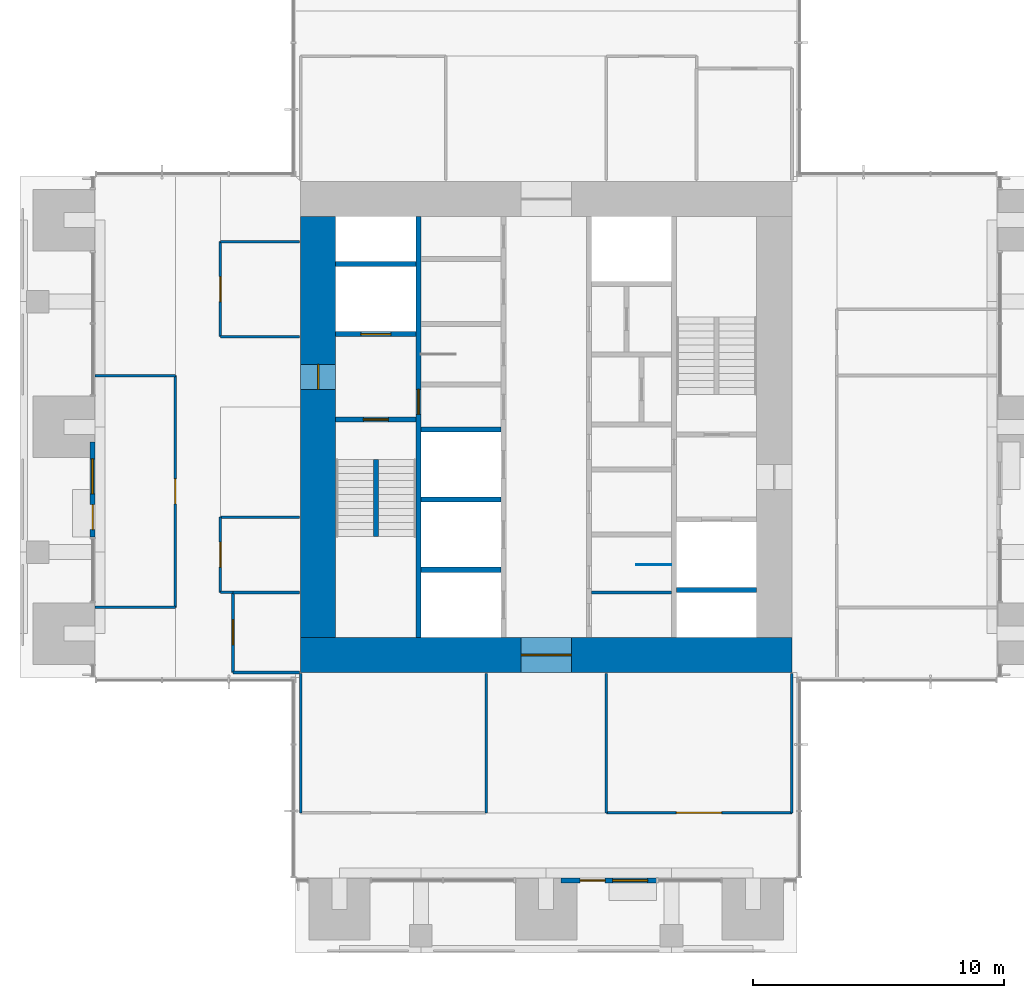
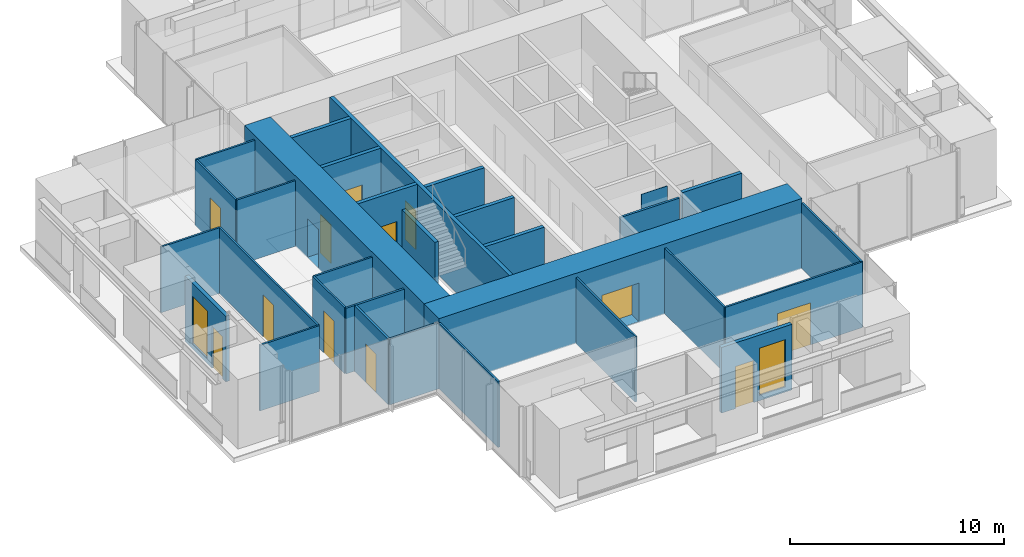
# One storey, part 12 of 17: 32 walls, 12 doors, 2 windows, 14 openings.
"""IFC4 building model written with IfcOpenShell, lengths in metres."""

import ifcopenshell
import ifcopenshell.guid

model = None  # the IFC model being written
_history = None  # IfcOwnerHistory: only IFC2X3 demands one
_inside = {}  # id of a spatial element -> (the spatial element, [elements in it])
_under = {}  # id of a project, library or spatial element -> (it, [spatial elements below it])
_declared = {}  # id of a project -> (the project, [libraries it declares])
_typed = {}  # id of a type object -> (the type object, [elements of that type])
_made_of = {}  # id of a material, layer set ... -> (it, [elements and type objects made of it])


def new_model(schema):
    """Start an empty IFC model of exactly this schema.

    Asked for "IFC4X3", IfcOpenShell would pick the latest addendum, in which some entities
    have other attributes; the version numbers below select the first issue.
    IFC2X3 requires an IfcOwnerHistory on every rooted entity: one is made here for all.
    """
    global model, _history
    if schema == "IFC4X3":
        model = ifcopenshell.file(schema_version=(4, 3, 0, 0))
    else:
        model = ifcopenshell.file(schema=schema)
    _inside.clear()
    _under.clear()
    _declared.clear()
    _typed.clear()
    _made_of.clear()
    _history = None
    if model.schema == "IFC2X3":
        org = make("IfcOrganization", Name="unknown")
        user = make(
            "IfcPersonAndOrganization",
            ThePerson=make("IfcPerson", FamilyName="unknown"),
            TheOrganization=org,
        )
        app = make(
            "IfcApplication",
            ApplicationDeveloper=org,
            Version="unknown",
            ApplicationFullName="unknown",
            ApplicationIdentifier="unknown",
        )
        _history = make(
            "IfcOwnerHistory",
            OwningUser=user,
            OwningApplication=app,
            ChangeAction="ADDED",
            CreationDate=0,
        )
    return model


def make(cls, **values):
    """One entity of the class cls with the attributes given. An attribute that is None is left unset."""
    return model.create_entity(
        cls, **{name: value for name, value in values.items() if value is not None}
    )


def rooted(cls, **values):
    """An entity with a GlobalId (a new one), such as an element, a storey or a relation."""
    return make(cls, GlobalId=ifcopenshell.guid.new(), OwnerHistory=_history, **values)


def si_unit(unit_type, name, prefix=None):
    """IfcSIUnit, for example si_unit("LENGTHUNIT", "METRE", prefix="MILLI")."""
    return make("IfcSIUnit", UnitType=unit_type, Prefix=prefix, Name=name)


def assignment(units):
    """IfcUnitAssignment: the units of a project."""
    return None if units is None else make("IfcUnitAssignment", Units=units)


def point(xyz):
    """IfcCartesianPoint."""
    return None if xyz is None else make("IfcCartesianPoint", Coordinates=xyz)


def direction(xyz):
    """IfcDirection."""
    return None if xyz is None else make("IfcDirection", DirectionRatios=xyz)


def frame(location, z_axis=None, x_axis=None):
    """IfcAxis2Placement3D, a coordinate frame: its origin and axes. An axis left out is left unset."""
    return make(
        "IfcAxis2Placement3D",
        Location=point(location),
        Axis=direction(z_axis),
        RefDirection=direction(x_axis),
    )


def frame_2d(location, x_axis=None):
    """IfcAxis2Placement2D, a coordinate frame in the plane: its origin and x axis."""
    return make(
        "IfcAxis2Placement2D", Location=point(location), RefDirection=direction(x_axis)
    )


def origin():
    """The frame at (0, 0, 0) with its axes left unset."""
    return frame((0.0, 0.0, 0.0))


def place(relative_to, where):
    """IfcLocalPlacement: puts the frame where relative to a parent placement (None: the world)."""
    return make(
        "IfcLocalPlacement", PlacementRelTo=relative_to, RelativePlacement=where
    )


def context(
    kind, dimensions, precision=None, world=None, true_north=None, identifier=None
):
    """IfcGeometricRepresentationContext, for example the 3D "Model" context."""
    return make(
        "IfcGeometricRepresentationContext",
        ContextIdentifier=identifier,
        ContextType=kind,
        CoordinateSpaceDimension=dimensions,
        Precision=precision,
        WorldCoordinateSystem=world,
        TrueNorth=true_north,
    )


def subcontext(parent, identifier, kind, view, scale=None):
    """IfcGeometricRepresentationSubContext, for example "Body" below "Model"."""
    return make(
        "IfcGeometricRepresentationSubContext",
        ContextIdentifier=identifier,
        ContextType=kind,
        ParentContext=parent,
        TargetScale=scale,
        TargetView=view,
    )


def project(units=None, contexts=None):
    """IfcProject with its units and contexts."""
    return rooted(
        "IfcProject",
        Name="project",
        RepresentationContexts=contexts,
        UnitsInContext=assignment(units),
    )


def spatial(cls, under=None, at=None, **own):
    """A site, building, storey or space (cls), placed at a placement, below another one or the project."""
    s = rooted(cls, ObjectPlacement=at, **own)
    if under is not None:
        _under.setdefault(under.id(), (under, []))[1].append(s)
    return s


def profile(cls, at=None, kind="AREA", **sizes):
    """A parametric profile (cls). Its sizes go by their IFC names, for example OverallWidth=200.0."""
    return make(cls, ProfileType=kind, Position=at, **sizes)


def rectangle(**sizes):
    """IfcRectangleProfileDef."""
    return profile("IfcRectangleProfileDef", **sizes)


def extrude(swept, where, along, depth):
    """IfcExtrudedAreaSolid: the profile swept, set in the frame where, extruded along a direction by depth."""
    return make(
        "IfcExtrudedAreaSolid",
        SweptArea=swept,
        Position=where,
        ExtrudedDirection=direction(along),
        Depth=depth,
    )


def shape(context_of_items, identifier, shape_type, items):
    """IfcShapeRepresentation: the items that make up one representation, for example the "Body"."""
    return make(
        "IfcShapeRepresentation",
        ContextOfItems=context_of_items,
        RepresentationIdentifier=identifier,
        RepresentationType=shape_type,
        Items=items,
    )


def material(Name=None, Category=None):
    """IfcMaterial."""
    return make("IfcMaterial", Name=Name, Category=Category)


def layer(
    of_material, thickness, ventilated=None, Name=None, Category=None, Priority=None
):
    """IfcMaterialLayer: one layer of a wall or slab, of a material (None: an air gap)."""
    return make(
        "IfcMaterialLayer",
        Material=of_material,
        LayerThickness=thickness,
        IsVentilated=ventilated,
        Name=Name,
        Category=Category,
        Priority=Priority,
    )


def layer_set(layers, Name=None):
    """IfcMaterialLayerSet."""
    return make("IfcMaterialLayerSet", MaterialLayers=layers, LayerSetName=Name)


def made_of(thing, what):
    """Note that an element or type object is made of a material, layer set ...; save() writes the relation."""
    if what is not None:
        _made_of.setdefault(what.id(), (what, []))[1].append(thing)
    return thing


def type_object(cls, material=None, **own):
    """A type object (cls), such as IfcWallType, which elements share."""
    return made_of(rooted(cls, **own), material)


def element(
    cls,
    number,
    at=None,
    inside=None,
    cuts=None,
    type_object=None,
    material=None,
    context=None,
    identifier="Body",
    shape_type=None,
    held_by="IfcProductDefinitionShape",
    body=None,
    shapes=None,
    **own,
):
    """One element of the class cls, such as IfcWall. Its Tag is "e" and its number.

    at: its placement. inside: the storey or other place that contains it. cuts: it is an
    opening in that element (IfcRelVoidsElement). A single representation is given by context,
    identifier, shape_type and body (its items); several are given by shapes. held_by: the class
    of the entity that holds the representations. save() writes the other relations.
    """
    e = rooted(cls, Tag="e%d" % number, ObjectPlacement=at, **own)
    if body is not None:
        shapes = [shape(context, identifier, shape_type, body)]
    if shapes is not None:
        e.Representation = make(held_by, Representations=shapes)
    if inside is not None:
        _inside.setdefault(inside.id(), (inside, []))[1].append(e)
    if cuts is not None:
        rooted(
            "IfcRelVoidsElement", RelatingBuildingElement=cuts, RelatedOpeningElement=e
        )
    if type_object is not None:
        _typed.setdefault(type_object.id(), (type_object, []))[1].append(e)
    return made_of(e, material)


def fill(opening, filler):
    """IfcRelFillsElement: the door or window that sits in an opening."""
    return rooted(
        "IfcRelFillsElement",
        RelatingOpeningElement=opening,
        RelatedBuildingElement=filler,
    )


def aggregate(whole, parts):
    """IfcRelAggregates: a whole, such as a stair, and the parts it consists of."""
    return rooted("IfcRelAggregates", RelatingObject=whole, RelatedObjects=parts)


def save(model, path):
    """Write the relations noted so far, then the file.

    IfcRelAggregates (storeys below a building ...), IfcRelContainedInSpatialStructure (elements
    in a storey), IfcRelDefinesByType, IfcRelAssociatesMaterial and IfcRelDeclares: one each for
    every whole, place, type object, material and project.
    """
    for whole, parts in _under.values():
        aggregate(whole, parts)
    for where, things in _inside.values():
        rooted(
            "IfcRelContainedInSpatialStructure",
            RelatedElements=things,
            RelatingStructure=where,
        )
    for kind, things in _typed.values():
        rooted("IfcRelDefinesByType", RelatedObjects=things, RelatingType=kind)
    for what, things in _made_of.values():
        rooted("IfcRelAssociatesMaterial", RelatedObjects=things, RelatingMaterial=what)
    for by, libraries in _declared.values():
        rooted("IfcRelDeclares", RelatingContext=by, RelatedDefinitions=libraries)
    model.write(path)


model = new_model("IFC4")

# Units and contexts
model_context = context("Model", 3, precision=1e-05, world=origin(), true_north=direction((0.0, 1.0)))
body_context = subcontext(model_context, "Body", "Model", "MODEL_VIEW")
ifc_project = project(units=[si_unit("LENGTHUNIT", "METRE"), si_unit("AREAUNIT", "SQUARE_METRE"), si_unit("VOLUMEUNIT", "CUBIC_METRE"), si_unit("PLANEANGLEUNIT", "RADIAN"), si_unit("MASSUNIT", "GRAM", prefix="KILO")], contexts=[model_context])

# Site, building, storey
site_placement = place(None, origin())
site = spatial("IfcSite", under=ifc_project, at=site_placement, CompositionType="ELEMENT")
building_placement = place(site_placement, origin())
building = spatial("IfcBuilding", under=site, at=building_placement, Name="Svetlomir Tower", CompositionType="ELEMENT")
storey_placement = place(building_placement, frame((0.0, 0.0, 210.5)))
storey = spatial("IfcBuildingStorey", under=building, at=storey_placement, Name="L50", CompositionType="ELEMENT", Elevation=210.5)

# Wall, openings, door, window
ifc_material_1 = material(Name="Bronze anodised aluminium glazed screen", Category="aluminium")
ifc_layer_1 = layer(ifc_material_1, 0.199951171875)
ifc_layer_set_1 = layer_set([ifc_layer_1], Name="Bronze anodised aluminium glazed screen")
wall_type_1 = type_object("IfcWallType", Name="BALCONY SCREEN WALL 200", PredefinedType="USERDEFINED", material=ifc_layer_set_1)
wall_1_placement = place(storey_placement, frame((21.60009765625, 2.89990234375, 0.0), z_axis=(0.0, 0.0, 1.0), x_axis=(1.0, 0.0, 0.0)))
wall_1 = element("IfcWall", 1, at=wall_1_placement, inside=storey, type_object=wall_type_1, Name="Balcony screen S", ObjectType="GLAZED SCREEN", PredefinedType="USERDEFINED", context=body_context, shape_type="SweptSolid", body=[
    extrude(rectangle(XDim=3.7998046875, YDim=0.199951171875, at=frame_2d((1.89990234375, 0.0))), origin(), (0.0, 0.0, 1.0), 3.75),
])
opening_1_placement = place(wall_1_placement, frame((0.75, 0.0, 0.0)))
opening_1 = element("IfcOpeningElement", 2, at=opening_1_placement, cuts=wall_1, Name="Opening BD", PredefinedType="OPENING", context=body_context, shape_type="SweptSolid", body=[
    extrude(rectangle(XDim=1.0, YDim=2.39990234375, at=frame_2d((0.5, 1.199951171875))), frame((0.0, 0.10986328125, 0.0), z_axis=(0.0, -1.0, 0.0), x_axis=(1.0, 0.0, 0.0)), (0.0, 0.0, 1.0), 0.219970703125),
])
opening_2_placement = place(wall_1_placement, frame((2.050048828125, 0.0, 0.300048828125)))
opening_2 = element("IfcOpeningElement", 3, at=opening_2_placement, cuts=wall_1, Name="Opening WS2", PredefinedType="OPENING", context=body_context, shape_type="SweptSolid", body=[
    extrude(rectangle(XDim=1.39990234375, YDim=2.699951171875, at=frame_2d((0.699951171875, 1.35009765625))), frame((0.0, 0.10986328125, 0.0), z_axis=(0.0, -1.0, 0.0), x_axis=(1.0, 0.0, 0.0)), (0.0, 0.0, 1.0), 0.219970703125),
])
ifc_material_2 = material(Name="Bronze anodised aluminium glazed door", Category="aluminium")
door_type_1 = type_object("IfcDoorType", Name="BALCONY DOOR BD 1000x2400", OperationType="SINGLE_SWING_LEFT", PredefinedType="DOOR", material=ifc_material_2)
door_1_placement = place(opening_1_placement, origin())
door_1 = element("IfcDoor", 4, at=door_1_placement, inside=storey, type_object=door_type_1, Name="Balcony screen S door", OperationType="SINGLE_SWING_LEFT", OverallHeight=2.39990234375, OverallWidth=1.0, PredefinedType="DOOR", context=body_context, shape_type="SweptSolid", body=[
    extrude(rectangle(XDim=1.0, YDim=2.39990234375, at=frame_2d((0.5, 1.199951171875))), frame((0.0, 0.02490234375, 0.0), z_axis=(0.0, -1.0, 0.0), x_axis=(1.0, 0.0, 0.0)), (0.0, 0.0, 1.0), 0.050048828125),
])
fill(opening_1, door_1)
ifc_material_3 = material(Name="Bronze anodised aluminium window", Category="aluminium")
window_type = type_object("IfcWindowType", Name="SCREEN WINDOW WS2 1400x2700", PartitioningType="SINGLE_PANEL", PredefinedType="WINDOW", material=ifc_material_3)
window_1_placement = place(opening_2_placement, origin())
window_1 = element("IfcWindow", 5, at=window_1_placement, inside=storey, type_object=window_type, Name="Balcony screen S window 1", OverallHeight=2.699951171875, OverallWidth=1.39990234375, PartitioningType="SINGLE_PANEL", PredefinedType="WINDOW", context=body_context, shape_type="SweptSolid", body=[
    extrude(rectangle(XDim=1.39990234375, YDim=2.699951171875, at=frame_2d((0.699951171875, 1.35009765625))), frame((0.0, 0.030029296875, 0.0), z_axis=(0.0, -1.0, 0.0), x_axis=(1.0, 0.0, 0.0)), (0.0, 0.0, 1.0), 0.06005859375),
])
fill(opening_2, window_1)

wall_2_placement = place(storey_placement, frame((2.89990234375, 20.39990234375, 0.0), z_axis=(0.0, 0.0, 1.0), x_axis=(0.0, -1.0, 0.0)))
wall_2 = element("IfcWall", 6, at=wall_2_placement, inside=storey, type_object=wall_type_1, Name="Balcony screen W", ObjectType="GLAZED SCREEN", PredefinedType="USERDEFINED", context=body_context, shape_type="SweptSolid", body=[
    extrude(rectangle(XDim=3.7998046875, YDim=0.199951171875, at=frame_2d((1.89990234375, 0.0))), origin(), (0.0, 0.0, 1.0), 3.75),
])
opening_3_placement = place(wall_2_placement, frame((2.5, 0.0, 0.0)))
opening_3 = element("IfcOpeningElement", 7, at=opening_3_placement, cuts=wall_2, Name="Opening BD", PredefinedType="OPENING", context=body_context, shape_type="SweptSolid", body=[
    extrude(rectangle(XDim=1.0, YDim=2.39990234375, at=frame_2d((0.5, 1.199951171875))), frame((0.0, 0.10986328125, 0.0), z_axis=(0.0, -1.0, 0.0), x_axis=(1.0, 0.0, 0.0)), (0.0, 0.0, 1.0), 0.219970703125),
])
opening_4_placement = place(wall_2_placement, frame((0.675048828125, 0.0, 0.300048828125)))
opening_4 = element("IfcOpeningElement", 8, at=opening_4_placement, cuts=wall_2, Name="Opening WS2", PredefinedType="OPENING", context=body_context, shape_type="SweptSolid", body=[
    extrude(rectangle(XDim=1.39990234375, YDim=2.699951171875, at=frame_2d((0.699951171875, 1.35009765625))), frame((0.0, 0.10986328125, 0.0), z_axis=(0.0, -1.0, 0.0), x_axis=(1.0, 0.0, 0.0)), (0.0, 0.0, 1.0), 0.219970703125),
])
door_2_placement = place(opening_3_placement, origin())
door_2 = element("IfcDoor", 9, at=door_2_placement, inside=storey, type_object=door_type_1, Name="Balcony screen W door", OperationType="SINGLE_SWING_LEFT", OverallHeight=2.39990234375, OverallWidth=1.0, PredefinedType="DOOR", context=body_context, shape_type="SweptSolid", body=[
    extrude(rectangle(XDim=1.0, YDim=2.39990234375, at=frame_2d((0.5, 1.199951171875))), frame((0.0, 0.02490234375, 0.0), z_axis=(0.0, -1.0, 0.0), x_axis=(1.0, 0.0, 0.0)), (0.0, 0.0, 1.0), 0.050048828125),
])
fill(opening_3, door_2)
window_2_placement = place(opening_4_placement, origin())
window_2 = element("IfcWindow", 10, at=window_2_placement, inside=storey, type_object=window_type, Name="Balcony screen W window 1", OverallHeight=2.699951171875, OverallWidth=1.39990234375, PartitioningType="SINGLE_PANEL", PredefinedType="WINDOW", context=body_context, shape_type="SweptSolid", body=[
    extrude(rectangle(XDim=1.39990234375, YDim=2.699951171875, at=frame_2d((0.699951171875, 1.35009765625))), frame((0.0, 0.030029296875, 0.0), z_axis=(0.0, -1.0, 0.0), x_axis=(1.0, 0.0, 0.0)), (0.0, 0.0, 1.0), 0.06005859375),
])
fill(opening_4, window_2)

# Wall, opening, door
ifc_material_4 = material(Name="Concrete C60/75", Category="concrete")
ifc_layer_2 = layer(ifc_material_4, 0.199951171875)
ifc_layer_set_2 = layer_set([ifc_layer_2], Name="Concrete C60/75")
wall_type_2 = type_object("IfcWallType", Name="CORE INNER WALL 200", PredefinedType="SHEAR", material=ifc_layer_set_2)
wall_3_placement = place(storey_placement, frame((15.89990234375, 12.60009765625, -0.050048828125), z_axis=(0.0, 0.0, 1.0), x_axis=(0.0, 1.0, 0.0)))
wall_3 = element("IfcWall", 11, at=wall_3_placement, inside=storey, type_object=wall_type_2, Name="Core inner wall 15.9 L50", PredefinedType="SHEAR", context=body_context, shape_type="SweptSolid", body=[
    extrude(rectangle(XDim=16.7998046875, YDim=0.199951171875, at=frame_2d((8.39990234375, 0.0))), origin(), (0.0, 0.0, 1.0), 4.0),
])
opening_5_placement = place(wall_3_placement, frame((8.89990234375, 0.0, 0.050048828125)))
opening_5 = element("IfcOpeningElement", 12, at=opening_5_placement, cuts=wall_3, Name="Opening DF", PredefinedType="OPENING", context=body_context, shape_type="SweptSolid", body=[
    extrude(rectangle(XDim=1.0, YDim=2.199951171875, at=frame_2d((0.5, 1.10009765625))), frame((0.0, 0.10986328125, 0.0), z_axis=(0.0, -1.0, 0.0), x_axis=(1.0, 0.0, 0.0)), (0.0, 0.0, 1.0), 0.219970703125),
])
ifc_material_5 = material(Name="Steel fire door", Category="steel")
door_type_2 = type_object("IfcDoorType", Name="DOOR DF 1000x2200", OperationType="SINGLE_SWING_LEFT", PredefinedType="DOOR", material=ifc_material_5)
door_3_placement = place(opening_5_placement, origin())
door_3 = element("IfcDoor", 13, at=door_3_placement, inside=storey, type_object=door_type_2, Name="Core corridor west door L50", OperationType="SINGLE_SWING_LEFT", OverallHeight=2.199951171875, OverallWidth=1.0, PredefinedType="DOOR", context=body_context, shape_type="SweptSolid", body=[
    extrude(rectangle(XDim=1.0, YDim=2.199951171875, at=frame_2d((0.5, 1.10009765625))), frame((0.0, 0.02490234375, 0.0), z_axis=(0.0, -1.0, 0.0), x_axis=(1.0, 0.0, 0.0)), (0.0, 0.0, 1.0), 0.050048828125),
])
fill(opening_5, door_3)

wall_4_placement = place(storey_placement, frame((12.60009765625, 21.300048828125, -0.050048828125), z_axis=(0.0, 0.0, 1.0), x_axis=(1.0, 0.0, 0.0)))
wall_4 = element("IfcWall", 14, at=wall_4_placement, inside=storey, type_object=wall_type_2, Name="Core inner wall 12.6-15.8/21.3 L50", PredefinedType="SHEAR", context=body_context, shape_type="SweptSolid", body=[
    extrude(rectangle(XDim=3.199951171875, YDim=0.199951171875, at=frame_2d((1.60009765625, 0.0))), origin(), (0.0, 0.0, 1.0), 4.0),
])
opening_6_placement = place(wall_4_placement, frame((1.10009765625, 0.0, 0.050048828125)))
opening_6 = element("IfcOpeningElement", 15, at=opening_6_placement, cuts=wall_4, Name="Opening DF", PredefinedType="OPENING", context=body_context, shape_type="SweptSolid", body=[
    extrude(rectangle(XDim=1.0, YDim=2.199951171875, at=frame_2d((0.5, 1.10009765625))), frame((0.0, 0.10986328125, 0.0), z_axis=(0.0, -1.0, 0.0), x_axis=(1.0, 0.0, 0.0)), (0.0, 0.0, 1.0), 0.219970703125),
])
door_4_placement = place(opening_6_placement, origin())
door_4 = element("IfcDoor", 16, at=door_4_placement, inside=storey, type_object=door_type_2, Name="Stair S1 door L50", OperationType="SINGLE_SWING_RIGHT", OverallHeight=2.199951171875, OverallWidth=1.0, PredefinedType="DOOR", context=body_context, shape_type="SweptSolid", body=[
    extrude(rectangle(XDim=1.0, YDim=2.199951171875, at=frame_2d((0.5, 1.10009765625))), frame((0.0, 0.02490234375, 0.0), z_axis=(0.0, -1.0, 0.0), x_axis=(1.0, 0.0, 0.0)), (0.0, 0.0, 1.0), 0.050048828125),
])
fill(opening_6, door_4)

wall_5_placement = place(storey_placement, frame((12.60009765625, 24.699951171875, -0.050048828125), z_axis=(0.0, 0.0, 1.0), x_axis=(1.0, 0.0, 0.0)))
wall_5 = element("IfcWall", 17, at=wall_5_placement, inside=storey, type_object=wall_type_2, Name="Core inner wall 12.6-15.8/24.7 L50", PredefinedType="SHEAR", context=body_context, shape_type="SweptSolid", body=[
    extrude(rectangle(XDim=3.199951171875, YDim=0.199951171875, at=frame_2d((1.60009765625, 0.0))), origin(), (0.0, 0.0, 1.0), 4.0),
])
opening_7_placement = place(wall_5_placement, frame((1.0, 0.0, 0.050048828125)))
opening_7 = element("IfcOpeningElement", 18, at=opening_7_placement, cuts=wall_5, Name="Opening LD3", PredefinedType="OPENING", context=body_context, shape_type="SweptSolid", body=[
    extrude(rectangle(XDim=1.199951171875, YDim=2.199951171875, at=frame_2d((0.60009765625, 1.10009765625))), frame((0.0, 0.10986328125, 0.0), z_axis=(0.0, -1.0, 0.0), x_axis=(1.0, 0.0, 0.0)), (0.0, 0.0, 1.0), 0.219970703125),
])
ifc_material_6 = material(Name="Stainless steel fire-rated landing door", Category="steel")
door_type_3 = type_object("IfcDoorType", Name="FIREFIGHTING LIFT LANDING DOOR LD3 1200x2200", OperationType="DOUBLE_DOOR_SLIDING", PredefinedType="DOOR", material=ifc_material_6)
door_5_placement = place(opening_7_placement, origin())
door_5 = element("IfcDoor", 19, at=door_5_placement, inside=storey, type_object=door_type_3, Name="Landing door lift FL1 L50", OperationType="DOUBLE_DOOR_SLIDING", OverallHeight=2.199951171875, OverallWidth=1.199951171875, PredefinedType="DOOR", context=body_context, shape_type="SweptSolid", body=[
    extrude(rectangle(XDim=1.199951171875, YDim=2.199951171875, at=frame_2d((0.60009765625, 1.10009765625))), frame((0.0, 0.02490234375, 0.0), z_axis=(0.0, -1.0, 0.0), x_axis=(1.0, 0.0, 0.0)), (0.0, 0.0, 1.0), 0.050048828125),
])
fill(opening_7, door_5)

# Walls
for number, where, z_axis, x_axis, name in (
    (20, (12.60009765625, 27.5, -0.050048828125), (0.0, 0.0, 1.0), (1.0, 0.0, 0.0), "Core inner wall 12.6-15.8/27.5 L50"),
    (21, (16.0, 15.300048828125, -0.050048828125), (0.0, 0.0, 1.0), (1.0, 0.0, 0.0), "Core inner wall 16-19.2/15.3 L50"),
    (22, (16.0, 18.10009765625, -0.050048828125), (0.0, 0.0, 1.0), (1.0, 0.0, 0.0), "Core inner wall 16-19.2/18.1 L50"),
    (23, (16.0, 20.89990234375, -0.050048828125), (0.0, 0.0, 1.0), (1.0, 0.0, 0.0), "Core inner wall 16-19.2/20.9 L50"),
    (24, (26.199951171875, 14.5, -0.050048828125), (0.0, 0.0, 1.0), (1.0, 0.0, 0.0), "Core inner wall 26.2-29.4/14.5 L50"),
):
    element("IfcWall", number, at=place(storey_placement, frame(where, z_axis=z_axis, x_axis=x_axis)), inside=storey, type_object=wall_type_2, Name=name, PredefinedType="SHEAR", context=body_context, shape_type="SweptSolid", body=[
        extrude(rectangle(XDim=3.199951171875, YDim=0.199951171875, at=frame_2d((1.60009765625, 0.0))), origin(), (0.0, 0.0, 1.0), 4.0),
    ])

# Wall, opening, door
ifc_material_7 = material(Name="Concrete C60/75", Category="concrete")
ifc_layer_3 = layer(ifc_material_7, 1.39990234375)
ifc_layer_set_3 = layer_set([ifc_layer_3], Name="Concrete C60/75")
wall_type_3 = type_object("IfcWallType", Name="CORE WALL 1400", PredefinedType="SHEAR", material=ifc_layer_set_3)
wall_6_placement = place(storey_placement, frame((11.199951171875, 11.89990234375, -0.050048828125), z_axis=(0.0, 0.0, 1.0), x_axis=(1.0, 0.0, 0.0)))
wall_6 = element("IfcWall", 25, at=wall_6_placement, inside=storey, type_object=wall_type_3, Name="Core wall south L50", PredefinedType="SHEAR", context=body_context, shape_type="SweptSolid", body=[
    extrude(rectangle(XDim=19.60009765625, YDim=1.39990234375, at=frame_2d((9.800048828125, 0.0))), origin(), (0.0, 0.0, 1.0), 4.0),
])
opening_8_placement = place(wall_6_placement, frame((8.800048828125, 0.0, 0.050048828125)))
opening_8 = element("IfcOpeningElement", 26, at=opening_8_placement, cuts=wall_6, Name="Opening DL", PredefinedType="OPENING", context=body_context, shape_type="SweptSolid", body=[
    extrude(rectangle(XDim=2.0, YDim=2.199951171875, at=frame_2d((1.0, 1.10009765625))), frame((0.0, 0.7099609375, 0.0), z_axis=(0.0, -1.0, 0.0), x_axis=(1.0, 0.0, 0.0)), (0.0, 0.0, 1.0), 1.419921875),
])
ifc_material_8 = material(Name="Steel fire door", Category="steel")
door_type_4 = type_object("IfcDoorType", Name="DOOR DL 2000x2200", OperationType="DOUBLE_DOOR_SINGLE_SWING", PredefinedType="DOOR", material=ifc_material_8)
door_6_placement = place(opening_8_placement, origin())
door_6 = element("IfcDoor", 27, at=door_6_placement, inside=storey, type_object=door_type_4, Name="Lift lobby south door L50", OperationType="DOUBLE_DOOR_SINGLE_SWING", OverallHeight=2.199951171875, OverallWidth=2.0, PredefinedType="DOOR", context=body_context, shape_type="SweptSolid", body=[
    extrude(rectangle(XDim=2.0, YDim=2.199951171875, at=frame_2d((1.0, 1.10009765625))), frame((0.0, 0.02490234375, 0.0), z_axis=(0.0, -1.0, 0.0), x_axis=(1.0, 0.0, 0.0)), (0.0, 0.0, 1.0), 0.050048828125),
])
fill(opening_8, door_6)

wall_7_placement = place(storey_placement, frame((11.89990234375, 12.60009765625, -0.050048828125), z_axis=(0.0, 0.0, 1.0), x_axis=(0.0, 1.0, 0.0)))
wall_7 = element("IfcWall", 28, at=wall_7_placement, inside=storey, type_object=wall_type_3, Name="Core wall west L50", PredefinedType="SHEAR", context=body_context, shape_type="SweptSolid", body=[
    extrude(rectangle(XDim=16.7998046875, YDim=1.39990234375, at=frame_2d((8.39990234375, 0.0))), origin(), (0.0, 0.0, 1.0), 4.0),
])
opening_9_placement = place(wall_7_placement, frame((9.89990234375, 0.0, 0.050048828125)))
opening_9 = element("IfcOpeningElement", 29, at=opening_9_placement, cuts=wall_7, Name="Opening DF", PredefinedType="OPENING", context=body_context, shape_type="SweptSolid", body=[
    extrude(rectangle(XDim=1.0, YDim=2.199951171875, at=frame_2d((0.5, 1.10009765625))), frame((0.0, 0.7099609375, 0.0), z_axis=(0.0, -1.0, 0.0), x_axis=(1.0, 0.0, 0.0)), (0.0, 0.0, 1.0), 1.419921875),
])
door_7_placement = place(opening_9_placement, origin())
door_7 = element("IfcDoor", 30, at=door_7_placement, inside=storey, type_object=door_type_2, Name="Firefighting lobby west door L50", OperationType="SINGLE_SWING_RIGHT", OverallHeight=2.199951171875, OverallWidth=1.0, PredefinedType="DOOR", context=body_context, shape_type="SweptSolid", body=[
    extrude(rectangle(XDim=1.0, YDim=2.199951171875, at=frame_2d((0.5, 1.10009765625))), frame((0.0, 0.02490234375, 0.0), z_axis=(0.0, -1.0, 0.0), x_axis=(1.0, 0.0, 0.0)), (0.0, 0.0, 1.0), 0.050048828125),
])
fill(opening_9, door_7)

# Walls
ifc_material_9 = material(Name="Framed laminated glass partition", Category="glass")
ifc_layer_4 = layer(ifc_material_9, 0.10009765625)
ifc_layer_set_4 = layer_set([ifc_layer_4], Name="Framed laminated glass partition")
wall_type_4 = type_object("IfcWallType", Name="GLAZED PARTITION 100", PredefinedType="PARTITIONING", material=ifc_layer_set_4)
for number, where, z_axis, x_axis, name in (
    (31, (3.0, 13.800048828125, 0.0), (0.0, 0.0, 1.0), (1.0, 0.0, 0.0), "Glazed partition L50"),
    (32, (3.0, 23.050048828125, 0.0), (0.0, 0.0, 1.0), (1.0, 0.0, 0.0), "Glazed partition L50"),
):
    element("IfcWall", number, at=place(storey_placement, frame(where, z_axis=z_axis, x_axis=x_axis)), inside=storey, type_object=wall_type_4, Name=name, PredefinedType="PARTITIONING", context=body_context, shape_type="SweptSolid", body=[
        extrude(rectangle(XDim=3.199951171875, YDim=0.10009765625, at=frame_2d((1.60009765625, 0.0))), origin(), (0.0, 0.0, 1.0), 3.75),
    ])

# Wall, opening, door
wall_8_placement = place(storey_placement, frame((6.199951171875, 13.800048828125, 0.0), z_axis=(0.0, 0.0, 1.0), x_axis=(0.0, 1.0, 0.0)))
wall_8 = element("IfcWall", 33, at=wall_8_placement, inside=storey, type_object=wall_type_4, Name="Glazed partition L50", PredefinedType="PARTITIONING", context=body_context, shape_type="SweptSolid", body=[
    extrude(rectangle(XDim=9.25, YDim=0.10009765625, at=frame_2d((4.625, 0.0))), origin(), (0.0, 0.0, 1.0), 3.75),
])
opening_10_placement = place(wall_8_placement, frame((4.125, 0.0, 0.0)))
opening_10 = element("IfcOpeningElement", 34, at=opening_10_placement, cuts=wall_8, Name="Opening DG", PredefinedType="OPENING", context=body_context, shape_type="SweptSolid", body=[
    extrude(rectangle(XDim=1.0, YDim=2.39990234375, at=frame_2d((0.5, 1.199951171875))), frame((0.0, 0.06005859375, 0.0), z_axis=(0.0, -1.0, 0.0), x_axis=(1.0, 0.0, 0.0)), (0.0, 0.0, 1.0), 0.1201171875),
])
ifc_material_10 = material(Name="Framed laminated glass door", Category="glass")
door_type_5 = type_object("IfcDoorType", Name="GLAZED DOOR DG 1000x2400", OperationType="SINGLE_SWING_LEFT", PredefinedType="DOOR", material=ifc_material_10)
door_8_placement = place(opening_10_placement, origin())
door_8 = element("IfcDoor", 35, at=door_8_placement, inside=storey, type_object=door_type_5, Name="Quiet study room door L50", OperationType="SINGLE_SWING_LEFT", OverallHeight=2.39990234375, OverallWidth=1.0, PredefinedType="DOOR", context=body_context, shape_type="SweptSolid", body=[
    extrude(rectangle(XDim=1.0, YDim=2.39990234375, at=frame_2d((0.5, 1.199951171875))), frame((0.0, 0.02490234375, 0.0), z_axis=(0.0, -1.0, 0.0), x_axis=(1.0, 0.0, 0.0)), (0.0, 0.0, 1.0), 0.050048828125),
])
fill(opening_10, door_8)

wall_9_placement = place(storey_placement, frame((8.0, 14.39990234375, 0.0), z_axis=(0.0, 0.0, 1.0), x_axis=(0.0, 1.0, 0.0)))
wall_9 = element("IfcWall", 36, at=wall_9_placement, inside=storey, type_object=wall_type_4, Name="Glazed partition L50", PredefinedType="PARTITIONING", context=body_context, shape_type="SweptSolid", body=[
    extrude(rectangle(XDim=3.0, YDim=0.10009765625, at=frame_2d((1.5, 0.0))), origin(), (0.0, 0.0, 1.0), 3.75),
])
opening_11_placement = place(wall_9_placement, frame((1.0, 0.0, 0.0)))
opening_11 = element("IfcOpeningElement", 37, at=opening_11_placement, cuts=wall_9, Name="Opening DG", PredefinedType="OPENING", context=body_context, shape_type="SweptSolid", body=[
    extrude(rectangle(XDim=1.0, YDim=2.39990234375, at=frame_2d((0.5, 1.199951171875))), frame((0.0, 0.06005859375, 0.0), z_axis=(0.0, -1.0, 0.0), x_axis=(1.0, 0.0, 0.0)), (0.0, 0.0, 1.0), 0.1201171875),
])
door_9_placement = place(opening_11_placement, origin())
door_9 = element("IfcDoor", 38, at=door_9_placement, inside=storey, type_object=door_type_5, Name="Phone room door L50", OperationType="SINGLE_SWING_RIGHT", OverallHeight=2.39990234375, OverallWidth=1.0, PredefinedType="DOOR", context=body_context, shape_type="SweptSolid", body=[
    extrude(rectangle(XDim=1.0, YDim=2.39990234375, at=frame_2d((0.5, 1.199951171875))), frame((0.0, 0.02490234375, 0.0), z_axis=(0.0, -1.0, 0.0), x_axis=(1.0, 0.0, 0.0)), (0.0, 0.0, 1.0), 0.050048828125),
])
fill(opening_11, door_9)

# Walls
wall_10_placement = place(storey_placement, frame((8.0, 14.39990234375, 0.0), z_axis=(0.0, 0.0, 1.0), x_axis=(1.0, 0.0, 0.0)))
element("IfcWall", 39, at=wall_10_placement, inside=storey, type_object=wall_type_4, Name="Glazed partition L50", PredefinedType="PARTITIONING", context=body_context, shape_type="SweptSolid", body=[
    extrude(rectangle(XDim=0.5, YDim=0.10009765625, at=frame_2d((0.25, 0.0))), origin(), (0.0, 0.0, 1.0), 3.75),
])
wall_11_placement = place(storey_placement, frame((8.0, 17.39990234375, 0.0), z_axis=(0.0, 0.0, 1.0), x_axis=(1.0, 0.0, 0.0)))
element("IfcWall", 40, at=wall_11_placement, inside=storey, type_object=wall_type_4, Name="Glazed partition L50", PredefinedType="PARTITIONING", context=body_context, shape_type="SweptSolid", body=[
    extrude(rectangle(XDim=3.14990234375, YDim=0.10009765625, at=frame_2d((1.574951171875, 0.0))), origin(), (0.0, 0.0, 1.0), 3.75),
])

# Wall, opening, door
wall_12_placement = place(storey_placement, frame((8.0, 24.60009765625, 0.0), z_axis=(0.0, 0.0, 1.0), x_axis=(0.0, 1.0, 0.0)))
wall_12 = element("IfcWall", 41, at=wall_12_placement, inside=storey, type_object=wall_type_4, Name="Glazed partition L50", PredefinedType="PARTITIONING", context=body_context, shape_type="SweptSolid", body=[
    extrude(rectangle(XDim=3.7998046875, YDim=0.10009765625, at=frame_2d((1.89990234375, 0.0))), origin(), (0.0, 0.0, 1.0), 3.75),
])
opening_12_placement = place(wall_12_placement, frame((1.39990234375, 0.0, 0.0)))
opening_12 = element("IfcOpeningElement", 42, at=opening_12_placement, cuts=wall_12, Name="Opening DG", PredefinedType="OPENING", context=body_context, shape_type="SweptSolid", body=[
    extrude(rectangle(XDim=1.0, YDim=2.39990234375, at=frame_2d((0.5, 1.199951171875))), frame((0.0, 0.06005859375, 0.0), z_axis=(0.0, -1.0, 0.0), x_axis=(1.0, 0.0, 0.0)), (0.0, 0.0, 1.0), 0.1201171875),
])
door_10_placement = place(opening_12_placement, origin())
door_10 = element("IfcDoor", 43, at=door_10_placement, inside=storey, type_object=door_type_5, Name="Assessment room door L50", OperationType="SINGLE_SWING_LEFT", OverallHeight=2.39990234375, OverallWidth=1.0, PredefinedType="DOOR", context=body_context, shape_type="SweptSolid", body=[
    extrude(rectangle(XDim=1.0, YDim=2.39990234375, at=frame_2d((0.5, 1.199951171875))), frame((0.0, 0.02490234375, 0.0), z_axis=(0.0, -1.0, 0.0), x_axis=(1.0, 0.0, 0.0)), (0.0, 0.0, 1.0), 0.050048828125),
])
fill(opening_12, door_10)

# Walls
for number, where, z_axis, x_axis, name in (
    (44, (8.0, 24.60009765625, 0.0), (0.0, 0.0, 1.0), (1.0, 0.0, 0.0), "Glazed partition L50"),
    (45, (8.0, 28.39990234375, 0.0), (0.0, 0.0, 1.0), (1.0, 0.0, 0.0), "Glazed partition L50"),
):
    element("IfcWall", number, at=place(storey_placement, frame(where, z_axis=z_axis, x_axis=x_axis)), inside=storey, type_object=wall_type_4, Name=name, PredefinedType="PARTITIONING", context=body_context, shape_type="SweptSolid", body=[
        extrude(rectangle(XDim=3.14990234375, YDim=0.10009765625, at=frame_2d((1.574951171875, 0.0))), origin(), (0.0, 0.0, 1.0), 3.75),
    ])
for number, where, z_axis, x_axis, name in (
    (46, (11.199951171875, 5.60009765625, 0.0), (0.0, 0.0, 1.0), (0.0, 1.0, 0.0), "Glazed partition L50"),
    (47, (18.60009765625, 5.60009765625, 0.0), (0.0, 0.0, 1.0), (0.0, 1.0, 0.0), "Glazed partition L50"),
    (48, (23.39990234375, 5.60009765625, 0.0), (0.0, 0.0, 1.0), (0.0, 1.0, 0.0), "Glazed partition L50"),
):
    element("IfcWall", number, at=place(storey_placement, frame(where, z_axis=z_axis, x_axis=x_axis)), inside=storey, type_object=wall_type_4, Name=name, PredefinedType="PARTITIONING", context=body_context, shape_type="SweptSolid", body=[
        extrude(rectangle(XDim=5.5498046875, YDim=0.10009765625, at=frame_2d((2.77490234375, 0.0))), origin(), (0.0, 0.0, 1.0), 3.75),
    ])

# Wall, opening, door
wall_13_placement = place(storey_placement, frame((23.39990234375, 5.60009765625, 0.0), z_axis=(0.0, 0.0, 1.0), x_axis=(1.0, 0.0, 0.0)))
wall_13 = element("IfcWall", 49, at=wall_13_placement, inside=storey, type_object=wall_type_4, Name="Glazed partition L50", PredefinedType="PARTITIONING", context=body_context, shape_type="SweptSolid", body=[
    extrude(rectangle(XDim=7.400146484375, YDim=0.10009765625, at=frame_2d((3.7001953125, 0.0))), origin(), (0.0, 0.0, 1.0), 3.75),
])
opening_13_placement = place(wall_13_placement, frame((2.800048828125, 0.0, 0.0)))
opening_13 = element("IfcOpeningElement", 50, at=opening_13_placement, cuts=wall_13, Name="Opening DD", PredefinedType="OPENING", context=body_context, shape_type="SweptSolid", body=[
    extrude(rectangle(XDim=1.800048828125, YDim=2.39990234375, at=frame_2d((0.89990234375, 1.199951171875))), frame((0.0, 0.06005859375, 0.0), z_axis=(0.0, -1.0, 0.0), x_axis=(1.0, 0.0, 0.0)), (0.0, 0.0, 1.0), 0.1201171875),
])
ifc_material_11 = material(Name="Timber door", Category="wood")
door_type_6 = type_object("IfcDoorType", Name="DOOR DD 1800x2400", OperationType="DOUBLE_DOOR_SINGLE_SWING", PredefinedType="DOOR", material=ifc_material_11)
door_11_placement = place(opening_13_placement, origin())
door_11 = element("IfcDoor", 51, at=door_11_placement, inside=storey, type_object=door_type_6, Name="Training room, 20 seats door L50", OperationType="DOUBLE_DOOR_SINGLE_SWING", OverallHeight=2.39990234375, OverallWidth=1.800048828125, PredefinedType="DOOR", context=body_context, shape_type="SweptSolid", body=[
    extrude(rectangle(XDim=1.800048828125, YDim=2.39990234375, at=frame_2d((0.89990234375, 1.199951171875))), frame((0.0, 0.02490234375, 0.0), z_axis=(0.0, -1.0, 0.0), x_axis=(1.0, 0.0, 0.0)), (0.0, 0.0, 1.0), 0.050048828125),
])
fill(opening_13, door_11)

# Walls
wall_14_placement = place(storey_placement, frame((30.800048828125, 5.60009765625, 0.0), z_axis=(0.0, 0.0, 1.0), x_axis=(0.0, 1.0, 0.0)))
element("IfcWall", 52, at=wall_14_placement, inside=storey, type_object=wall_type_4, Name="Glazed partition L50", PredefinedType="PARTITIONING", context=body_context, shape_type="SweptSolid", body=[
    extrude(rectangle(XDim=5.5498046875, YDim=0.10009765625, at=frame_2d((2.77490234375, 0.0))), origin(), (0.0, 0.0, 1.0), 3.75),
])
ifc_material_12 = material(Name="Gypsum board on steel studs", Category="steel")
ifc_layer_5 = layer(ifc_material_12, 0.1201171875)
ifc_layer_set_5 = layer_set([ifc_layer_5], Name="Gypsum board on steel studs")
wall_type_5 = type_object("IfcWallType", Name="PARTITION 120", PredefinedType="PARTITIONING", material=ifc_layer_set_5)
wall_15_placement = place(storey_placement, frame((22.800048828125, 14.39990234375, 0.0), z_axis=(0.0, 0.0, 1.0), x_axis=(1.0, 0.0, 0.0)))
element("IfcWall", 53, at=wall_15_placement, inside=storey, type_object=wall_type_5, Name="Floor store partition L50", PredefinedType="PARTITIONING", context=body_context, shape_type="SweptSolid", body=[
    extrude(rectangle(XDim=3.199951171875, YDim=0.1201171875, at=frame_2d((1.60009765625, 0.0))), origin(), (0.0, 0.0, 1.0), 3.75),
])

# Wall, opening, door
wall_16_placement = place(storey_placement, frame((8.5, 11.199951171875, 0.0), z_axis=(0.0, 0.0, 1.0), x_axis=(0.0, 1.0, 0.0)))
wall_16 = element("IfcWall", 54, at=wall_16_placement, inside=storey, type_object=wall_type_5, Name="Partition L50", PredefinedType="PARTITIONING", context=body_context, shape_type="SweptSolid", body=[
    extrude(rectangle(XDim=3.199951171875, YDim=0.1201171875, at=frame_2d((1.60009765625, 0.0))), origin(), (0.0, 0.0, 1.0), 3.75),
])
opening_14_placement = place(wall_16_placement, frame((1.10009765625, 0.0, 0.0)))
opening_14 = element("IfcOpeningElement", 55, at=opening_14_placement, cuts=wall_16, Name="Opening DR", PredefinedType="OPENING", context=body_context, shape_type="SweptSolid", body=[
    extrude(rectangle(XDim=1.0, YDim=2.199951171875, at=frame_2d((0.5, 1.10009765625))), frame((0.0, 0.070068359375, 0.0), z_axis=(0.0, -1.0, 0.0), x_axis=(1.0, 0.0, 0.0)), (0.0, 0.0, 1.0), 0.14013671875),
])
ifc_material_13 = material(Name="Timber door, glazed side light", Category="wood")
door_type_7 = type_object("IfcDoorType", Name="DOOR DR 1000x2200", OperationType="SINGLE_SWING_LEFT", PredefinedType="DOOR", material=ifc_material_13)
door_12_placement = place(opening_14_placement, origin())
door_12 = element("IfcDoor", 56, at=door_12_placement, inside=storey, type_object=door_type_7, Name="Print and copy room door L50", OperationType="SINGLE_SWING_LEFT", OverallHeight=2.199951171875, OverallWidth=1.0, PredefinedType="DOOR", context=body_context, shape_type="SweptSolid", body=[
    extrude(rectangle(XDim=1.0, YDim=2.199951171875, at=frame_2d((0.5, 1.10009765625))), frame((0.0, 0.02490234375, 0.0), z_axis=(0.0, -1.0, 0.0), x_axis=(1.0, 0.0, 0.0)), (0.0, 0.0, 1.0), 0.050048828125),
])
fill(opening_14, door_12)

# Walls
for number, where, z_axis, x_axis, name in (
    (57, (8.5, 11.199951171875, 0.0), (0.0, 0.0, 1.0), (1.0, 0.0, 0.0), "Partition L50"),
    (58, (8.5, 14.39990234375, 0.0), (0.0, 0.0, 1.0), (1.0, 0.0, 0.0), "Partition L50"),
):
    element("IfcWall", number, at=place(storey_placement, frame(where, z_axis=z_axis, x_axis=x_axis)), inside=storey, type_object=wall_type_5, Name=name, PredefinedType="PARTITIONING", context=body_context, shape_type="SweptSolid", body=[
        extrude(rectangle(XDim=2.64990234375, YDim=0.1201171875, at=frame_2d((1.324951171875, 0.0))), origin(), (0.0, 0.0, 1.0), 3.75),
    ])
ifc_material_14 = material(Name="Concrete C60/75", Category="concrete")
ifc_layer_6 = layer(ifc_material_14, 0.199951171875)
ifc_layer_set_6 = layer_set([ifc_layer_6], Name="Concrete C60/75")
wall_type_6 = type_object("IfcWallType", Name="STAIR SPINE WALL 200", PredefinedType="PARTITIONING", material=ifc_layer_set_6)
wall_17_placement = place(storey_placement, frame((14.199951171875, 16.6201171875, 0.0), z_axis=(0.0, 0.0, 1.0), x_axis=(0.0, 1.0, 0.0)))
element("IfcWall", 59, at=wall_17_placement, inside=storey, type_object=wall_type_6, Name="Stair S1 spine wall L50", PredefinedType="PARTITIONING", context=body_context, shape_type="SweptSolid", body=[
    extrude(rectangle(XDim=3.079833984375, YDim=0.199951171875, at=frame_2d((1.5400390625, 0.0))), origin(), (0.0, 0.0, 1.0), 4.0),
])
ifc_material_15 = material(Name="Compact laminate panel", Category="plastic")
ifc_layer_7 = layer(ifc_material_15, 0.030029296875)
ifc_layer_set_7 = layer_set([ifc_layer_7], Name="Compact laminate panel")
wall_type_7 = type_object("IfcWallType", Name="WC CUBICLE PARTITION 30", PredefinedType="PARTITIONING", material=ifc_layer_set_7)
wall_18_placement = place(storey_placement, frame((24.60009765625, 15.5, 0.0), z_axis=(0.0, 0.0, 1.0), x_axis=(1.0, 0.0, 0.0)))
element("IfcWall", 60, at=wall_18_placement, inside=storey, type_object=wall_type_7, Name="WC cubicle partition L50", PredefinedType="PARTITIONING", context=body_context, shape_type="SweptSolid", body=[
    extrude(rectangle(XDim=1.39990234375, YDim=0.030029296875, at=frame_2d((0.699951171875, 0.0))), origin(), (0.0, 0.0, 1.0), 3.75),
])

save(model, "model.ifc")
